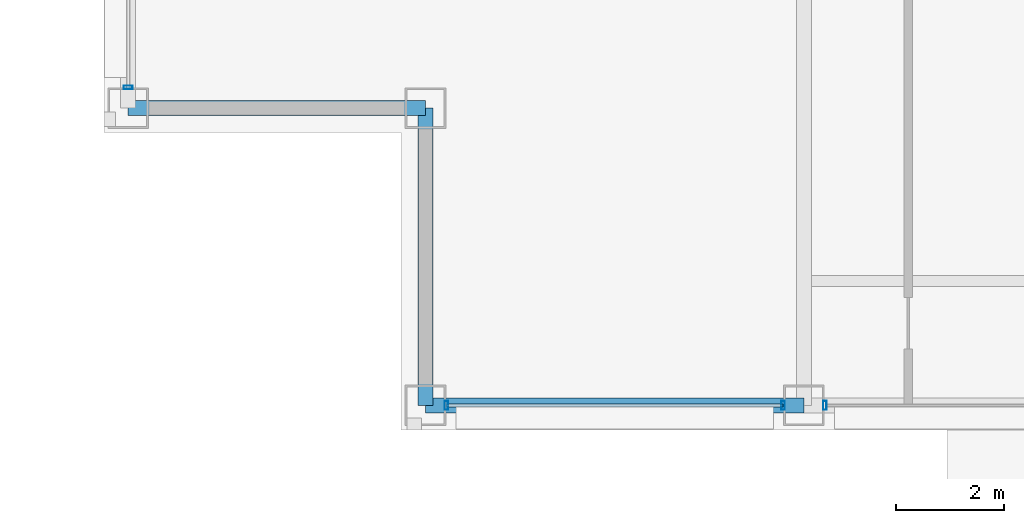
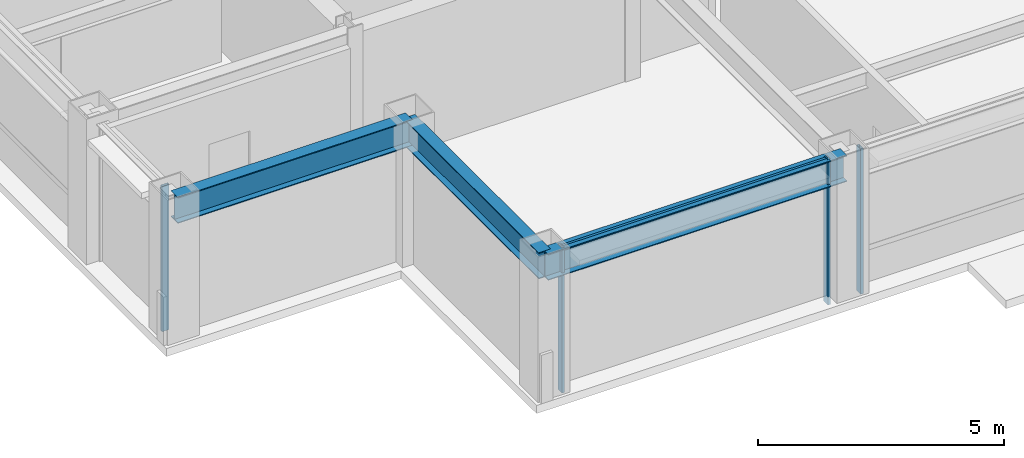
# One storey, part 2 of 26: 5 members, 3 beams, 3 elements without a shape of their own.
"""IFC4 building model written with IfcOpenShell, lengths in metres."""

from ifc_helpers import new_model, si_unit, direction, frame, origin, origin_2d, place, context, subcontext, project, spatial, hollow_rectangle, i_section, extrude, material, layer, layer_set, material_profile, profile_set, type_object, element, aggregate, save


model = new_model("IFC4")

# Units and contexts
model_context = context("Model", 3, precision=1e-05, world=origin(), true_north=direction((0.0, 1.0)))
body_context = subcontext(model_context, "Body", "Model", "MODEL_VIEW")
ifc_project = project(units=[si_unit("LENGTHUNIT", "METRE"), si_unit("AREAUNIT", "SQUARE_METRE"), si_unit("VOLUMEUNIT", "CUBIC_METRE"), si_unit("PLANEANGLEUNIT", "RADIAN"), si_unit("MASSUNIT", "GRAM", prefix="KILO")], contexts=[model_context])

# Site, building, storey
site_placement = place(None, origin())
site = spatial("IfcSite", under=ifc_project, at=site_placement, CompositionType="ELEMENT")
building_placement = place(site_placement, origin())
building = spatial("IfcBuilding", under=site, at=building_placement, Name="Brelmoor Portico Tower", CompositionType="ELEMENT")
storey_placement = place(building_placement, frame((0.0, 0.0, 180.300048828125)))
storey = spatial("IfcBuildingStorey", under=building, at=storey_placement, Name="L47", CompositionType="ELEMENT", Elevation=180.300048828125)

# Beams
ifc_material_1 = material(Name="Steel Q355B", Category="steel")
ifc_material_profile_1 = material_profile(ifc_material_1, i_section(OverallWidth=0.280029296875, OverallDepth=0.64990234375, WebThickness=0.012939453125, FlangeThickness=0.02197265625, at=origin_2d()), Name="HN 650x280x13x22")
ifc_profile_set_1 = profile_set([ifc_material_profile_1], Name="Steel Q355B")
beam_type = type_object("IfcBeamType", Name="BM-SP-650", PredefinedType="SPANDREL", material=ifc_profile_set_1)
beam_placement = place(storey_placement, frame((-15.050048828125, -18.550048828125, 3.074951171875), z_axis=(1.0, 0.0, 0.0), x_axis=(0.0, 1.0, 0.0)))
element("IfcBeam", 1, at=beam_placement, inside=storey, type_object=beam_type, Name="L47 Perimeter Spandrel Beam SP-01", PredefinedType="SPANDREL", context=body_context, shape_type="SweptSolid", body=[
    extrude(i_section(OverallWidth=0.280029296875, OverallDepth=0.64990234375, WebThickness=0.012939453125, FlangeThickness=0.02197265625, at=origin_2d()), origin(), (0.0, 0.0, 1.0), 7.0),
])
for number, where, z_axis, x_axis, name in (
    (2, (-20.550048828125, -13.050048828125, 3.074951171875), (1.0, 0.0, 0.0), (0.0, 1.0, 0.0), "L47 Perimeter Spandrel Beam SP-04"),
    (3, (-15.050048828125, -18.550048828125, 3.074951171875), (0.0, 1.0, 0.0), (-1.0, 0.0, 0.0), "L47 Perimeter Spandrel Beam SP-14"),
):
    element("IfcBeam", number, at=place(storey_placement, frame(where, z_axis=z_axis, x_axis=x_axis)), inside=storey, type_object=beam_type, Name=name, PredefinedType="SPANDREL", context=body_context, shape_type="SweptSolid", body=[
        extrude(i_section(OverallWidth=0.280029296875, OverallDepth=0.64990234375, WebThickness=0.012939453125, FlangeThickness=0.02197265625, at=origin_2d()), origin(), (0.0, 0.0, 1.0), 5.5),
    ])

# Curtain wall, members
ifc_material_2 = material(Name="Anodised Aluminium Alloy 6063-T6", Category="aluminium")
ifc_layer_1 = layer(ifc_material_2, 0.179931640625)
ifc_layer_set_1 = layer_set([ifc_layer_1], Name="Anodised Aluminium Alloy 6063-T6")
curtain_wall_type_1 = type_object("IfcCurtainWallType", Name="CW-TOWER-Z3-XB", PredefinedType="NOTDEFINED", material=ifc_layer_set_1)
curtain_wall_1_placement = place(storey_placement, origin())
curtain_wall_1 = element("IfcCurtainWall", 4, at=curtain_wall_1_placement, inside=storey, type_object=curtain_wall_type_1, Name="L47 Curtain Wall CW-L47-01-1", PredefinedType="NOTDEFINED")
ifc_material_profile_2 = material_profile(ifc_material_2, hollow_rectangle(XDim=0.06494140625, YDim=0.1650390625, WallThickness=0.00390625, at=origin_2d()), Name="ALU MULLION 65x165")
ifc_profile_set_2 = profile_set([ifc_material_profile_2], Name="Anodised Aluminium Alloy 6063-T6")
member_type_1 = type_object("IfcMemberType", Name="MB-CW-MULL-165", PredefinedType="MULLION", material=ifc_profile_set_2)
member_1_placement = place(storey_placement, frame((-14.6650390625, -18.550048828125, -0.199951171875), z_axis=(0.0, 0.0, 1.0), x_axis=(1.0, 0.0, 0.0)))
member_1 = element("IfcMember", 5, at=member_1_placement, type_object=member_type_1, Name="CW-L47-01-1 Mullion 00", PredefinedType="MULLION", context=body_context, shape_type="SweptSolid", body=[
    extrude(hollow_rectangle(XDim=0.06494140625, YDim=0.1650390625, WallThickness=0.00390625, at=origin_2d()), origin(), (0.0, 0.0, 1.0), 3.599853515625),
])
member_2_placement = place(storey_placement, frame((-8.43505859375, -18.550048828125, -0.199951171875), z_axis=(0.0, 0.0, 1.0), x_axis=(1.0, 0.0, 0.0)))
member_2 = element("IfcMember", 6, at=member_2_placement, type_object=member_type_1, Name="CW-L47-01-1 Mullion 01", PredefinedType="MULLION", context=body_context, shape_type="SweptSolid", body=[
    extrude(hollow_rectangle(XDim=0.06494140625, YDim=0.1650390625, WallThickness=0.00390625, at=origin_2d()), origin(), (0.0, 0.0, 1.0), 3.599853515625),
])

# Curtain wall, member
ifc_layer_2 = layer(ifc_material_2, 0.179931640625)
ifc_layer_set_2 = layer_set([ifc_layer_2], Name="Anodised Aluminium Alloy 6063-T6")
curtain_wall_type_2 = type_object("IfcCurtainWallType", Name="CW-TOWER-Z3", PredefinedType="NOTDEFINED", material=ifc_layer_set_2)
curtain_wall_2_placement = place(storey_placement, origin())
curtain_wall_2 = element("IfcCurtainWall", 7, at=curtain_wall_2_placement, inside=storey, type_object=curtain_wall_type_2, Name="L47 Curtain Wall CW-L47-01-2", PredefinedType="NOTDEFINED")
member_3_placement = place(storey_placement, frame((-7.6650390625, -18.550048828125, -0.199951171875), z_axis=(0.0, 0.0, 1.0), x_axis=(1.0, 0.0, 0.0)))
member_3 = element("IfcMember", 8, at=member_3_placement, type_object=member_type_1, Name="CW-L47-01-2 Mullion 00", PredefinedType="MULLION", context=body_context, shape_type="SweptSolid", body=[
    extrude(hollow_rectangle(XDim=0.06494140625, YDim=0.1650390625, WallThickness=0.00390625, at=origin_2d()), origin(), (0.0, 0.0, 1.0), 3.599853515625),
])
aggregate(curtain_wall_2, [member_3])

curtain_wall_3_placement = place(storey_placement, origin())
curtain_wall_3 = element("IfcCurtainWall", 9, at=curtain_wall_3_placement, inside=storey, type_object=curtain_wall_type_1, Name="L47 Curtain Wall CW-L47-03-1", PredefinedType="NOTDEFINED")
member_4_placement = place(storey_placement, frame((-20.550048828125, -12.6650390625, -0.199951171875), z_axis=(0.0, 0.0, 1.0), x_axis=(0.0, 1.0, 0.0)))
member_4 = element("IfcMember", 10, at=member_4_placement, type_object=member_type_1, Name="CW-L47-03-1 Mullion 00", PredefinedType="MULLION", context=body_context, shape_type="SweptSolid", body=[
    extrude(hollow_rectangle(XDim=0.06494140625, YDim=0.1650390625, WallThickness=0.00390625, at=origin_2d()), origin(), (0.0, 0.0, 1.0), 3.599853515625),
])
aggregate(curtain_wall_3, [member_4])

# Member
ifc_material_profile_3 = material_profile(ifc_material_2, hollow_rectangle(XDim=0.06005859375, YDim=0.125, WallThickness=0.00341796875, at=origin_2d()), Name="ALU TRANSOM 60x125")
ifc_profile_set_3 = profile_set([ifc_material_profile_3], Name="Anodised Aluminium Alloy 6063-T6")
member_type_2 = type_object("IfcMemberType", Name="MB-CW-TRAN-125", PredefinedType="USERDEFINED", material=ifc_profile_set_3)
member_5_placement = place(storey_placement, frame((-14.6650390625, -18.550048828125, 3.33740234375), z_axis=(1.0, 0.0, 0.0), x_axis=(0.0, 1.0, 0.0)))
member_5 = element("IfcMember", 11, at=member_5_placement, type_object=member_type_2, Name="CW-L47-01-1 Transom 1-00", ObjectType="TRANSOM", PredefinedType="USERDEFINED", context=body_context, shape_type="SweptSolid", body=[
    extrude(hollow_rectangle(XDim=0.06005859375, YDim=0.125, WallThickness=0.00341796875, at=origin_2d()), origin(), (0.0, 0.0, 1.0), 6.22998046875),
])

aggregate(curtain_wall_1, [member_1, member_2, member_5])

save(model, "model.ifc")
